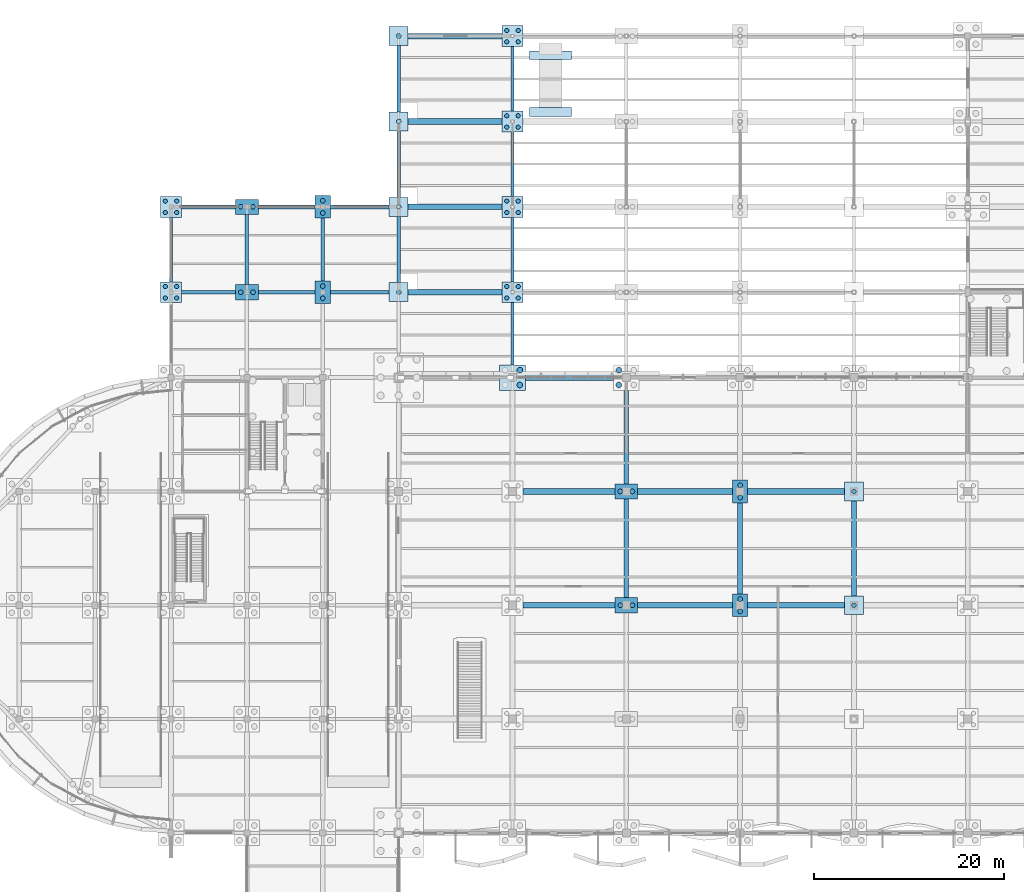
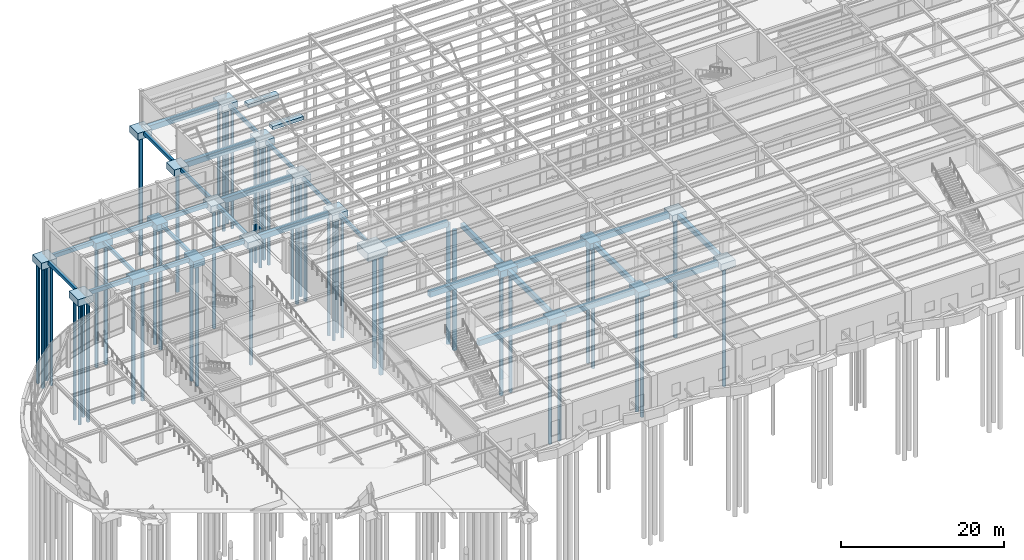
# One storey, part 4 of 85: 54 footings, 50 piles.
"""IFC4 building model written with IfcOpenShell, lengths in metres."""

from ifc_helpers import new_model, si_unit, direction, frame, origin, origin_2d, place, context, subcontext, project, spatial, polyline, rectangle, circle, outline, extrude, material, material_profile, profile_set, type_object, element, save


model = new_model("IFC4")

# Units and contexts
model_context = context("Model", 3, precision=1e-05, world=origin(), true_north=direction((0.0, 1.0)))
body_context = subcontext(model_context, "Body", "Model", "MODEL_VIEW")
ifc_project = project(units=[si_unit("LENGTHUNIT", "METRE"), si_unit("AREAUNIT", "SQUARE_METRE"), si_unit("VOLUMEUNIT", "CUBIC_METRE"), si_unit("PLANEANGLEUNIT", "RADIAN"), si_unit("MASSUNIT", "GRAM", prefix="KILO")], contexts=[model_context])

# Site, building, storey
site_placement = place(None, origin())
site = spatial("IfcSite", under=ifc_project, at=site_placement, CompositionType="ELEMENT")
building_placement = place(site_placement, origin())
building = spatial("IfcBuilding", under=site, at=building_placement, Name="Keelwater Ferry Terminal", CompositionType="ELEMENT")
storey_placement = place(building_placement, origin())
storey = spatial("IfcBuildingStorey", under=building, at=storey_placement, Name="L00", CompositionType="ELEMENT", Elevation=0.0)

# Piles
ifc_material_1 = material(Name="Concrete C45/55", Category="concrete")
ifc_material_profile_1 = material_profile(ifc_material_1, circle(Radius=0.300048828125, at=origin_2d()), Name="PILE D600")
ifc_profile_set_1 = profile_set([ifc_material_profile_1], Name="Concrete C45/55")
pile_type_1 = type_object("IfcPileType", Name="P3 PILE D600", PredefinedType="DRIVEN", material=ifc_profile_set_1)
for number, where, z_axis, x_axis, name in (
    (1, (60.780029296875, 89.219970703125, -1.5), (0.0, 0.0, -1.0), (1.0, 0.0, 0.0), "Driven Pile 0205"),
    (2, (60.780029296875, 90.780029296875, -1.5), (0.0, 0.0, -1.0), (1.0, 0.0, 0.0), "Driven Pile 0207"),
    (3, (71.219970703125, 89.219970703125, -1.5), (0.0, 0.0, -1.0), (1.0, 0.0, 0.0), "Driven Pile 0234"),
    (4, (71.219970703125, 90.780029296875, -1.5), (0.0, 0.0, -1.0), (1.0, 0.0, 0.0), "Driven Pile 0236"),
):
    element("IfcPile", number, at=place(storey_placement, frame(where, z_axis=z_axis, x_axis=x_axis)), inside=storey, type_object=pile_type_1, Name=name, PredefinedType="DRIVEN", context=body_context, shape_type="SweptSolid", body=[
        extrude(circle(Radius=0.300048828125, at=origin_2d()), origin(), (0.0, 0.0, 1.0), 18.0),
    ])
ifc_material_2 = material(Name="Concrete C45/55", Category="concrete")
ifc_material_profile_2 = material_profile(ifc_material_2, circle(Radius=0.25, at=origin_2d()), Name="PILE D500")
ifc_profile_set_2 = profile_set([ifc_material_profile_2], Name="Concrete C45/55")
pile_type_2 = type_object("IfcPileType", Name="P4 PILE D500", PredefinedType="DRIVEN", material=ifc_profile_set_2)
for number, where, z_axis, x_axis, name in (
    (5, (31.35009765625, 99.0, -1.300048828125), (0.0, 0.0, -1.0), (1.0, 0.0, 0.0), "Driven Pile 0118"),
    (6, (32.64990234375, 99.0, -1.300048828125), (0.0, 0.0, -1.0), (1.0, 0.0, 0.0), "Driven Pile 0119"),
    (7, (31.35009765625, 108.0, -1.300048828125), (0.0, 0.0, -1.0), (1.0, 0.0, 0.0), "Driven Pile 0120"),
    (8, (32.64990234375, 108.0, -1.300048828125), (0.0, 0.0, -1.0), (1.0, 0.0, 0.0), "Driven Pile 0121"),
    (9, (40.0, 98.35009765625, -1.300048828125), (0.0, 0.0, -1.0), (1.0, 0.0, 0.0), "Driven Pile 0142"),
    (10, (40.0, 99.64990234375, -1.300048828125), (0.0, 0.0, -1.0), (1.0, 0.0, 0.0), "Driven Pile 0143"),
    (11, (40.0, 107.35009765625, -1.300048828125), (0.0, 0.0, -1.0), (1.0, 0.0, 0.0), "Driven Pile 0144"),
    (12, (40.0, 108.64990234375, -1.300048828125), (0.0, 0.0, -1.0), (1.0, 0.0, 0.0), "Driven Pile 0145"),
    (13, (48.0, 99.0, -1.300048828125), (0.0, 0.0, -1.0), (1.0, 0.0, 0.0), "Driven Pile 0184"),
    (14, (48.0, 108.0, -1.300048828125), (0.0, 0.0, -1.0), (1.0, 0.0, 0.0), "Driven Pile 0185"),
    (15, (48.0, 117.0, -1.300048828125), (0.0, 0.0, -1.0), (1.0, 0.0, 0.0), "Driven Pile 0186"),
    (16, (48.0, 126.0, -1.300048828125), (0.0, 0.0, -1.0), (1.0, 0.0, 0.0), "Driven Pile 0187"),
    (17, (71.35009765625, 66.0, -1.300048828125), (0.0, 0.0, -1.0), (1.0, 0.0, 0.0), "Driven Pile 0230"),
    (18, (72.64990234375, 66.0, -1.300048828125), (0.0, 0.0, -1.0), (1.0, 0.0, 0.0), "Driven Pile 0231"),
    (19, (71.35009765625, 78.0, -1.300048828125), (0.0, 0.0, -1.0), (1.0, 0.0, 0.0), "Driven Pile 0232"),
    (20, (72.64990234375, 78.0, -1.300048828125), (0.0, 0.0, -1.0), (1.0, 0.0, 0.0), "Driven Pile 0233"),
    (21, (84.0, 65.35009765625, -1.300048828125), (0.0, 0.0, -1.0), (1.0, 0.0, 0.0), "Driven Pile 0252"),
    (22, (84.0, 66.64990234375, -1.300048828125), (0.0, 0.0, -1.0), (1.0, 0.0, 0.0), "Driven Pile 0253"),
    (23, (84.0, 77.35009765625, -1.300048828125), (0.0, 0.0, -1.0), (1.0, 0.0, 0.0), "Driven Pile 0254"),
    (24, (84.0, 78.64990234375, -1.300048828125), (0.0, 0.0, -1.0), (1.0, 0.0, 0.0), "Driven Pile 0255"),
    (25, (96.0, 66.0, -1.300048828125), (0.0, 0.0, -1.0), (1.0, 0.0, 0.0), "Driven Pile 0273"),
    (26, (96.0, 78.0, -1.300048828125), (0.0, 0.0, -1.0), (1.0, 0.0, 0.0), "Driven Pile 0274"),
):
    element("IfcPile", number, at=place(storey_placement, frame(where, z_axis=z_axis, x_axis=x_axis)), inside=storey, type_object=pile_type_2, Name=name, PredefinedType="DRIVEN", context=body_context, shape_type="SweptSolid", body=[
        extrude(circle(Radius=0.25, at=origin_2d()), origin(), (0.0, 0.0, 1.0), 18.199951171875),
    ])
ifc_material_3 = material(Name="Concrete C45/55", Category="concrete")
ifc_material_profile_3 = material_profile(ifc_material_3, circle(Radius=0.22509765625, at=origin_2d()), Name="PILE D450")
ifc_profile_set_3 = profile_set([ifc_material_profile_3], Name="Concrete C45/55")
pile_type_3 = type_object("IfcPileType", Name="P5 PILE D450", PredefinedType="DRIVEN", material=ifc_profile_set_3)
for number, where, z_axis, x_axis, name in (
    (27, (23.39990234375, 98.39990234375, -1.35009765625), (0.0, 0.0, -1.0), (1.0, 0.0, 0.0), "Driven Pile 0090"),
    (28, (24.60009765625, 98.39990234375, -1.35009765625), (0.0, 0.0, -1.0), (1.0, 0.0, 0.0), "Driven Pile 0091"),
    (29, (23.39990234375, 99.60009765625, -1.35009765625), (0.0, 0.0, -1.0), (1.0, 0.0, 0.0), "Driven Pile 0092"),
    (30, (24.60009765625, 99.60009765625, -1.35009765625), (0.0, 0.0, -1.0), (1.0, 0.0, 0.0), "Driven Pile 0093"),
    (31, (23.39990234375, 107.39990234375, -1.35009765625), (0.0, 0.0, -1.0), (1.0, 0.0, 0.0), "Driven Pile 0094"),
    (32, (24.60009765625, 107.39990234375, -1.35009765625), (0.0, 0.0, -1.0), (1.0, 0.0, 0.0), "Driven Pile 0095"),
    (33, (23.39990234375, 108.60009765625, -1.35009765625), (0.0, 0.0, -1.0), (1.0, 0.0, 0.0), "Driven Pile 0096"),
    (34, (24.60009765625, 108.60009765625, -1.35009765625), (0.0, 0.0, -1.0), (1.0, 0.0, 0.0), "Driven Pile 0097"),
    (35, (59.39990234375, 98.39990234375, -1.35009765625), (0.0, 0.0, -1.0), (1.0, 0.0, 0.0), "Driven Pile 0208"),
    (36, (60.60009765625, 98.39990234375, -1.35009765625), (0.0, 0.0, -1.0), (1.0, 0.0, 0.0), "Driven Pile 0209"),
    (37, (59.39990234375, 99.60009765625, -1.35009765625), (0.0, 0.0, -1.0), (1.0, 0.0, 0.0), "Driven Pile 0210"),
    (38, (60.60009765625, 99.60009765625, -1.35009765625), (0.0, 0.0, -1.0), (1.0, 0.0, 0.0), "Driven Pile 0211"),
    (39, (59.39990234375, 107.39990234375, -1.35009765625), (0.0, 0.0, -1.0), (1.0, 0.0, 0.0), "Driven Pile 0212"),
    (40, (60.60009765625, 107.39990234375, -1.35009765625), (0.0, 0.0, -1.0), (1.0, 0.0, 0.0), "Driven Pile 0213"),
    (41, (59.39990234375, 108.60009765625, -1.35009765625), (0.0, 0.0, -1.0), (1.0, 0.0, 0.0), "Driven Pile 0214"),
    (42, (60.60009765625, 108.60009765625, -1.35009765625), (0.0, 0.0, -1.0), (1.0, 0.0, 0.0), "Driven Pile 0215"),
    (43, (59.39990234375, 116.39990234375, -1.35009765625), (0.0, 0.0, -1.0), (1.0, 0.0, 0.0), "Driven Pile 0216"),
    (44, (60.60009765625, 116.39990234375, -1.35009765625), (0.0, 0.0, -1.0), (1.0, 0.0, 0.0), "Driven Pile 0217"),
    (45, (59.39990234375, 117.60009765625, -1.35009765625), (0.0, 0.0, -1.0), (1.0, 0.0, 0.0), "Driven Pile 0218"),
    (46, (60.60009765625, 117.60009765625, -1.35009765625), (0.0, 0.0, -1.0), (1.0, 0.0, 0.0), "Driven Pile 0219"),
    (47, (59.39990234375, 125.39990234375, -1.35009765625), (0.0, 0.0, -1.0), (1.0, 0.0, 0.0), "Driven Pile 0220"),
    (48, (60.60009765625, 125.39990234375, -1.35009765625), (0.0, 0.0, -1.0), (1.0, 0.0, 0.0), "Driven Pile 0221"),
    (49, (59.39990234375, 126.60009765625, -1.35009765625), (0.0, 0.0, -1.0), (1.0, 0.0, 0.0), "Driven Pile 0222"),
    (50, (60.60009765625, 126.60009765625, -1.35009765625), (0.0, 0.0, -1.0), (1.0, 0.0, 0.0), "Driven Pile 0223"),
):
    element("IfcPile", number, at=place(storey_placement, frame(where, z_axis=z_axis, x_axis=x_axis)), inside=storey, type_object=pile_type_3, Name=name, PredefinedType="DRIVEN", context=body_context, shape_type="SweptSolid", body=[
        extrude(circle(Radius=0.22509765625, at=origin_2d()), origin(), (0.0, 0.0, 1.0), 18.14990234375),
    ])

# Footings
ifc_material_4 = material(Name="Concrete C40/50", Category="concrete")
footing_type_1 = type_object("IfcFootingType", Name="PC01 2000x2000x1000", PredefinedType="PILE_CAP", material=ifc_material_4)
footing_1_placement = place(storey_placement, frame((0.0, 0.0, -1.39990234375)))
element("IfcFooting", 51, at=footing_1_placement, inside=storey, type_object=footing_type_1, Name="Pile Cap FT-CAP-0041", PredefinedType="PILE_CAP", context=body_context, shape_type="SweptSolid", body=[
    extrude(outline(polyline([(47.0, 98.0), (49.0, 98.0), (49.0, 100.0), (47.0, 100.0), (47.0, 98.0)])), origin(), (0.0, 0.0, 1.0), 1.0),
])
footing_2_placement = place(storey_placement, frame((0.0, 0.0, -1.39990234375)))
element("IfcFooting", 52, at=footing_2_placement, inside=storey, type_object=footing_type_1, Name="Pile Cap FT-CAP-0042", PredefinedType="PILE_CAP", context=body_context, shape_type="SweptSolid", body=[
    extrude(outline(polyline([(47.0, 107.0), (49.0, 107.0), (49.0, 109.0), (47.0, 109.0), (47.0, 107.0)])), origin(), (0.0, 0.0, 1.0), 1.0),
])
footing_3_placement = place(storey_placement, frame((0.0, 0.0, -1.39990234375)))
element("IfcFooting", 53, at=footing_3_placement, inside=storey, type_object=footing_type_1, Name="Pile Cap FT-CAP-0043", PredefinedType="PILE_CAP", context=body_context, shape_type="SweptSolid", body=[
    extrude(outline(polyline([(47.0, 116.0), (49.0, 116.0), (49.0, 118.0), (47.0, 118.0), (47.0, 116.0)])), origin(), (0.0, 0.0, 1.0), 1.0),
])
footing_4_placement = place(storey_placement, frame((0.0, 0.0, -1.39990234375)))
element("IfcFooting", 54, at=footing_4_placement, inside=storey, type_object=footing_type_1, Name="Pile Cap FT-CAP-0044", PredefinedType="PILE_CAP", context=body_context, shape_type="SweptSolid", body=[
    extrude(outline(polyline([(47.0, 125.0), (49.0, 125.0), (49.0, 127.0), (47.0, 127.0), (47.0, 125.0)])), origin(), (0.0, 0.0, 1.0), 1.0),
])
footing_5_placement = place(storey_placement, frame((0.0, 0.0, -1.39990234375)))
element("IfcFooting", 55, at=footing_5_placement, inside=storey, type_object=footing_type_1, Name="Pile Cap FT-CAP-0074", PredefinedType="PILE_CAP", context=body_context, shape_type="SweptSolid", body=[
    extrude(outline(polyline([(95.0, 65.0), (97.0, 65.0), (97.0, 67.0), (95.0, 67.0), (95.0, 65.0)])), origin(), (0.0, 0.0, 1.0), 1.0),
])
footing_6_placement = place(storey_placement, frame((0.0, 0.0, -1.39990234375)))
element("IfcFooting", 56, at=footing_6_placement, inside=storey, type_object=footing_type_1, Name="Pile Cap FT-CAP-0075", PredefinedType="PILE_CAP", context=body_context, shape_type="SweptSolid", body=[
    extrude(outline(polyline([(95.0, 77.0), (97.0, 77.0), (97.0, 79.0), (95.0, 79.0), (95.0, 77.0)])), origin(), (0.0, 0.0, 1.0), 1.0),
])
ifc_material_5 = material(Name="Concrete C40/50", Category="concrete")
footing_type_2 = type_object("IfcFootingType", Name="PC04 2700x2700x1200", PredefinedType="PILE_CAP", material=ifc_material_5)
footing_7_placement = place(storey_placement, frame((0.0, 0.0, -1.60009765625)))
element("IfcFooting", 57, at=footing_7_placement, inside=storey, type_object=footing_type_2, Name="Pile Cap FT-CAP-0049", PredefinedType="PILE_CAP", context=body_context, shape_type="SweptSolid", body=[
    extrude(outline(polyline([(58.64990234375, 88.64990234375), (61.35009765625, 88.64990234375), (61.35009765625, 91.35009765625), (58.64990234375, 91.35009765625), (58.64990234375, 88.64990234375)])), origin(), (0.0, 0.0, 1.0), 1.2001953125),
])
ifc_material_6 = material(Name="Concrete C40/50", Category="concrete")
footing_type_3 = type_object("IfcFootingType", Name="PC10 2200x2200x1050", PredefinedType="PILE_CAP", material=ifc_material_6)
footing_8_placement = place(storey_placement, frame((0.0, 0.0, -1.449951171875)))
element("IfcFooting", 58, at=footing_8_placement, inside=storey, type_object=footing_type_3, Name="Pile Cap FT-CAP-0012", PredefinedType="PILE_CAP", context=body_context, shape_type="SweptSolid", body=[
    extrude(outline(polyline([(22.89990234375, 97.89990234375), (25.10009765625, 97.89990234375), (25.10009765625, 100.10009765625), (22.89990234375, 100.10009765625), (22.89990234375, 97.89990234375)])), origin(), (0.0, 0.0, 1.0), 1.050048828125),
])
footing_9_placement = place(storey_placement, frame((0.0, 0.0, -1.449951171875)))
element("IfcFooting", 59, at=footing_9_placement, inside=storey, type_object=footing_type_3, Name="Pile Cap FT-CAP-0013", PredefinedType="PILE_CAP", context=body_context, shape_type="SweptSolid", body=[
    extrude(outline(polyline([(22.89990234375, 106.89990234375), (25.10009765625, 106.89990234375), (25.10009765625, 109.10009765625), (22.89990234375, 109.10009765625), (22.89990234375, 106.89990234375)])), origin(), (0.0, 0.0, 1.0), 1.050048828125),
])
footing_10_placement = place(storey_placement, frame((0.0, 0.0, -1.449951171875)))
element("IfcFooting", 60, at=footing_10_placement, inside=storey, type_object=footing_type_3, Name="Pile Cap FT-CAP-0050", PredefinedType="PILE_CAP", context=body_context, shape_type="SweptSolid", body=[
    extrude(outline(polyline([(58.89990234375, 97.89990234375), (61.10009765625, 97.89990234375), (61.10009765625, 100.10009765625), (58.89990234375, 100.10009765625), (58.89990234375, 97.89990234375)])), origin(), (0.0, 0.0, 1.0), 1.050048828125),
])
footing_11_placement = place(storey_placement, frame((0.0, 0.0, -1.449951171875)))
element("IfcFooting", 61, at=footing_11_placement, inside=storey, type_object=footing_type_3, Name="Pile Cap FT-CAP-0051", PredefinedType="PILE_CAP", context=body_context, shape_type="SweptSolid", body=[
    extrude(outline(polyline([(58.89990234375, 106.89990234375), (61.10009765625, 106.89990234375), (61.10009765625, 109.10009765625), (58.89990234375, 109.10009765625), (58.89990234375, 106.89990234375)])), origin(), (0.0, 0.0, 1.0), 1.050048828125),
])
footing_12_placement = place(storey_placement, frame((0.0, 0.0, -1.449951171875)))
element("IfcFooting", 62, at=footing_12_placement, inside=storey, type_object=footing_type_3, Name="Pile Cap FT-CAP-0052", PredefinedType="PILE_CAP", context=body_context, shape_type="SweptSolid", body=[
    extrude(outline(polyline([(58.89990234375, 115.89990234375), (61.10009765625, 115.89990234375), (61.10009765625, 118.10009765625), (58.89990234375, 118.10009765625), (58.89990234375, 115.89990234375)])), origin(), (0.0, 0.0, 1.0), 1.050048828125),
])
footing_13_placement = place(storey_placement, frame((0.0, 0.0, -1.449951171875)))
element("IfcFooting", 63, at=footing_13_placement, inside=storey, type_object=footing_type_3, Name="Pile Cap FT-CAP-0053", PredefinedType="PILE_CAP", context=body_context, shape_type="SweptSolid", body=[
    extrude(outline(polyline([(58.89990234375, 124.89990234375), (61.10009765625, 124.89990234375), (61.10009765625, 127.10009765625), (58.89990234375, 127.10009765625), (58.89990234375, 124.89990234375)])), origin(), (0.0, 0.0, 1.0), 1.050048828125),
])
ifc_material_7 = material(Name="Concrete C40/50", Category="concrete")
footing_type_4 = type_object("IfcFootingType", Name="PC11 2400x1600x1000", PredefinedType="PILE_CAP", material=ifc_material_7)
footing_14_placement = place(storey_placement, frame((0.0, 0.0, -1.39990234375)))
element("IfcFooting", 64, at=footing_14_placement, inside=storey, type_object=footing_type_4, Name="Pile Cap FT-CAP-0021", PredefinedType="PILE_CAP", context=body_context, shape_type="SweptSolid", body=[
    extrude(outline(polyline([(30.800048828125, 98.199951171875), (33.199951171875, 98.199951171875), (33.199951171875, 99.800048828125), (30.800048828125, 99.800048828125), (30.800048828125, 98.199951171875)])), origin(), (0.0, 0.0, 1.0), 1.0),
])
footing_15_placement = place(storey_placement, frame((0.0, 0.0, -1.39990234375)))
element("IfcFooting", 65, at=footing_15_placement, inside=storey, type_object=footing_type_4, Name="Pile Cap FT-CAP-0022", PredefinedType="PILE_CAP", context=body_context, shape_type="SweptSolid", body=[
    extrude(outline(polyline([(30.800048828125, 107.199951171875), (33.199951171875, 107.199951171875), (33.199951171875, 108.800048828125), (30.800048828125, 108.800048828125), (30.800048828125, 107.199951171875)])), origin(), (0.0, 0.0, 1.0), 1.0),
])
footing_16_placement = place(storey_placement, frame((0.0, 0.0, -1.39990234375)))
element("IfcFooting", 66, at=footing_16_placement, inside=storey, type_object=footing_type_4, Name="Pile Cap FT-CAP-0056", PredefinedType="PILE_CAP", context=body_context, shape_type="SweptSolid", body=[
    extrude(outline(polyline([(70.800048828125, 65.199951171875), (73.199951171875, 65.199951171875), (73.199951171875, 66.800048828125), (70.800048828125, 66.800048828125), (70.800048828125, 65.199951171875)])), origin(), (0.0, 0.0, 1.0), 1.0),
])
footing_17_placement = place(storey_placement, frame((0.0, 0.0, -1.39990234375)))
element("IfcFooting", 67, at=footing_17_placement, inside=storey, type_object=footing_type_4, Name="Pile Cap FT-CAP-0057", PredefinedType="PILE_CAP", context=body_context, shape_type="SweptSolid", body=[
    extrude(outline(polyline([(70.800048828125, 77.199951171875), (73.199951171875, 77.199951171875), (73.199951171875, 78.800048828125), (70.800048828125, 78.800048828125), (70.800048828125, 77.199951171875)])), origin(), (0.0, 0.0, 1.0), 1.0),
])
ifc_material_8 = material(Name="Concrete C40/50", Category="concrete")
footing_type_5 = type_object("IfcFootingType", Name="PC12 1600x2400x1000", PredefinedType="PILE_CAP", material=ifc_material_8)
footing_18_placement = place(storey_placement, frame((0.0, 0.0, -1.39990234375)))
element("IfcFooting", 68, at=footing_18_placement, inside=storey, type_object=footing_type_5, Name="Pile Cap FT-CAP-0030", PredefinedType="PILE_CAP", context=body_context, shape_type="SweptSolid", body=[
    extrude(outline(polyline([(39.199951171875, 97.800048828125), (40.800048828125, 97.800048828125), (40.800048828125, 100.199951171875), (39.199951171875, 100.199951171875), (39.199951171875, 97.800048828125)])), origin(), (0.0, 0.0, 1.0), 1.0),
])
footing_19_placement = place(storey_placement, frame((0.0, 0.0, -1.39990234375)))
element("IfcFooting", 69, at=footing_19_placement, inside=storey, type_object=footing_type_5, Name="Pile Cap FT-CAP-0031", PredefinedType="PILE_CAP", context=body_context, shape_type="SweptSolid", body=[
    extrude(outline(polyline([(39.199951171875, 106.800048828125), (40.800048828125, 106.800048828125), (40.800048828125, 109.199951171875), (39.199951171875, 109.199951171875), (39.199951171875, 106.800048828125)])), origin(), (0.0, 0.0, 1.0), 1.0),
])
footing_20_placement = place(storey_placement, frame((0.0, 0.0, -1.39990234375)))
element("IfcFooting", 70, at=footing_20_placement, inside=storey, type_object=footing_type_5, Name="Pile Cap FT-CAP-0065", PredefinedType="PILE_CAP", context=body_context, shape_type="SweptSolid", body=[
    extrude(outline(polyline([(83.199951171875, 64.800048828125), (84.800048828125, 64.800048828125), (84.800048828125, 67.199951171875), (83.199951171875, 67.199951171875), (83.199951171875, 64.800048828125)])), origin(), (0.0, 0.0, 1.0), 1.0),
])
footing_21_placement = place(storey_placement, frame((0.0, 0.0, -1.39990234375)))
element("IfcFooting", 71, at=footing_21_placement, inside=storey, type_object=footing_type_5, Name="Pile Cap FT-CAP-0066", PredefinedType="PILE_CAP", context=body_context, shape_type="SweptSolid", body=[
    extrude(outline(polyline([(83.199951171875, 76.800048828125), (84.800048828125, 76.800048828125), (84.800048828125, 79.199951171875), (83.199951171875, 79.199951171875), (83.199951171875, 76.800048828125)])), origin(), (0.0, 0.0, 1.0), 1.0),
])
ifc_material_9 = material(Name="Concrete C40/50", Category="concrete")
footing_type_6 = type_object("IfcFootingType", Name="PF01 4400x900x500", PredefinedType="PAD_FOOTING", material=ifc_material_9)
footing_22_placement = place(storey_placement, frame((0.0, 0.0, -0.5)))
element("IfcFooting", 72, at=footing_22_placement, inside=storey, type_object=footing_type_6, Name="Ramp QR1 Threshold Pad Footing 1", PredefinedType="PAD_FOOTING", context=body_context, shape_type="SweptSolid", body=[
    extrude(outline(polyline([(61.800048828125, 117.550048828125), (66.199951171875, 117.550048828125), (66.199951171875, 118.449951171875), (61.800048828125, 118.449951171875), (61.800048828125, 117.550048828125)])), origin(), (0.0, 0.0, 1.0), 0.5),
])
footing_23_placement = place(storey_placement, frame((0.0, 0.0, -0.85009765625)))
element("IfcFooting", 73, at=footing_23_placement, inside=storey, type_object=footing_type_6, Name="Ramp QR1 Threshold Pad Footing 2", PredefinedType="PAD_FOOTING", context=body_context, shape_type="SweptSolid", body=[
    extrude(outline(polyline([(61.800048828125, 123.550048828125), (66.199951171875, 123.550048828125), (66.199951171875, 124.449951171875), (61.800048828125, 124.449951171875), (61.800048828125, 123.550048828125)])), origin(), (0.0, 0.0, 1.0), 0.5),
])
ifc_material_10 = material(Name="Concrete C40/50", Category="concrete")
ifc_material_profile_4 = material_profile(ifc_material_10, rectangle(XDim=0.60009765625, YDim=0.800048828125, at=origin_2d()), Name="TB 600x800")
ifc_profile_set_4 = profile_set([ifc_material_profile_4], Name="Concrete C40/50")
footing_type_7 = type_object("IfcFootingType", Name="TB1 600x800", PredefinedType="FOOTING_BEAM", material=ifc_profile_set_4)
footing_24_placement = place(storey_placement, frame((61.10009765625, 66.0, -0.800048828125), z_axis=(1.0, 0.0, 0.0), x_axis=(0.0, 1.0, 0.0)))
element("IfcFooting", 74, at=footing_24_placement, inside=storey, type_object=footing_type_7, Name="Ground Tie Beam 0053", PredefinedType="FOOTING_BEAM", context=body_context, shape_type="SweptSolid", body=[
    extrude(rectangle(XDim=0.60009765625, YDim=0.800048828125, at=origin_2d()), origin(), (0.0, 0.0, 1.0), 9.699951171875),
])
footing_25_placement = place(storey_placement, frame((73.199951171875, 66.0, -0.800048828125), z_axis=(1.0, 0.0, 0.0), x_axis=(0.0, 1.0, 0.0)))
element("IfcFooting", 75, at=footing_25_placement, inside=storey, type_object=footing_type_7, Name="Ground Tie Beam 0054", PredefinedType="FOOTING_BEAM", context=body_context, shape_type="SweptSolid", body=[
    extrude(rectangle(XDim=0.60009765625, YDim=0.800048828125, at=origin_2d()), origin(), (0.0, 0.0, 1.0), 10.0),
])
footing_26_placement = place(storey_placement, frame((84.800048828125, 66.0, -0.800048828125), z_axis=(1.0, 0.0, 0.0), x_axis=(0.0, 1.0, 0.0)))
element("IfcFooting", 76, at=footing_26_placement, inside=storey, type_object=footing_type_7, Name="Ground Tie Beam 0055", PredefinedType="FOOTING_BEAM", context=body_context, shape_type="SweptSolid", body=[
    extrude(rectangle(XDim=0.60009765625, YDim=0.800048828125, at=origin_2d()), origin(), (0.0, 0.0, 1.0), 10.199951171875),
])
footing_27_placement = place(storey_placement, frame((61.10009765625, 78.0, -0.800048828125), z_axis=(1.0, 0.0, 0.0), x_axis=(0.0, 1.0, 0.0)))
element("IfcFooting", 77, at=footing_27_placement, inside=storey, type_object=footing_type_7, Name="Ground Tie Beam 0070", PredefinedType="FOOTING_BEAM", context=body_context, shape_type="SweptSolid", body=[
    extrude(rectangle(XDim=0.60009765625, YDim=0.800048828125, at=origin_2d()), origin(), (0.0, 0.0, 1.0), 9.699951171875),
])
footing_28_placement = place(storey_placement, frame((73.199951171875, 78.0, -0.800048828125), z_axis=(1.0, 0.0, 0.0), x_axis=(0.0, 1.0, 0.0)))
element("IfcFooting", 78, at=footing_28_placement, inside=storey, type_object=footing_type_7, Name="Ground Tie Beam 0071", PredefinedType="FOOTING_BEAM", context=body_context, shape_type="SweptSolid", body=[
    extrude(rectangle(XDim=0.60009765625, YDim=0.800048828125, at=origin_2d()), origin(), (0.0, 0.0, 1.0), 10.0),
])
footing_29_placement = place(storey_placement, frame((84.800048828125, 78.0, -0.800048828125), z_axis=(1.0, 0.0, 0.0), x_axis=(0.0, 1.0, 0.0)))
element("IfcFooting", 79, at=footing_29_placement, inside=storey, type_object=footing_type_7, Name="Ground Tie Beam 0072", PredefinedType="FOOTING_BEAM", context=body_context, shape_type="SweptSolid", body=[
    extrude(rectangle(XDim=0.60009765625, YDim=0.800048828125, at=origin_2d()), origin(), (0.0, 0.0, 1.0), 10.199951171875),
])
footing_30_placement = place(storey_placement, frame((61.35009765625, 90.0, -0.800048828125), z_axis=(1.0, 0.0, 0.0), x_axis=(0.0, 1.0, 0.0)))
element("IfcFooting", 80, at=footing_30_placement, inside=storey, type_object=footing_type_7, Name="Ground Tie Beam 0085", PredefinedType="FOOTING_BEAM", context=body_context, shape_type="SweptSolid", body=[
    extrude(rectangle(XDim=0.60009765625, YDim=0.800048828125, at=origin_2d()), origin(), (0.0, 0.0, 1.0), 9.2998046875),
])
for number, where, z_axis, x_axis, name in (
    (81, (49.0, 99.0, -0.800048828125), (1.0, 0.0, 0.0), (0.0, 1.0, 0.0), "Ground Tie Beam 0099"),
    (82, (49.0, 108.0, -0.800048828125), (1.0, 0.0, 0.0), (0.0, 1.0, 0.0), "Ground Tie Beam 0113"),
    (83, (49.0, 117.0, -0.800048828125), (1.0, 0.0, 0.0), (0.0, 1.0, 0.0), "Ground Tie Beam 0125"),
    (84, (49.0, 126.0, -0.800048828125), (1.0, 0.0, 0.0), (0.0, 1.0, 0.0), "Ground Tie Beam 0138"),
):
    element("IfcFooting", number, at=place(storey_placement, frame(where, z_axis=z_axis, x_axis=x_axis)), inside=storey, type_object=footing_type_7, Name=name, PredefinedType="FOOTING_BEAM", context=body_context, shape_type="SweptSolid", body=[
        extrude(rectangle(XDim=0.60009765625, YDim=0.800048828125, at=origin_2d()), origin(), (0.0, 0.0, 1.0), 9.89990234375),
    ])
ifc_material_11 = material(Name="Concrete C40/50", Category="concrete")
ifc_material_profile_5 = material_profile(ifc_material_11, rectangle(XDim=0.5, YDim=0.75, at=origin_2d()), Name="TB 500x750")
ifc_profile_set_5 = profile_set([ifc_material_profile_5], Name="Concrete C40/50")
footing_type_8 = type_object("IfcFootingType", Name="TB2 500x750", PredefinedType="FOOTING_BEAM", material=ifc_profile_set_5)
footing_31_placement = place(storey_placement, frame((72.0, 66.800048828125, -0.77490234375), z_axis=(0.0, 1.0, 0.0), x_axis=(-1.0, 0.0, 0.0)))
element("IfcFooting", 85, at=footing_31_placement, inside=storey, type_object=footing_type_8, Name="Ground Tie Beam 0196", PredefinedType="FOOTING_BEAM", context=body_context, shape_type="SweptSolid", body=[
    extrude(rectangle(XDim=0.5, YDim=0.75, at=origin_2d()), origin(), (0.0, 0.0, 1.0), 10.39990234375),
])
footing_32_placement = place(storey_placement, frame((72.0, 78.800048828125, -0.77490234375), z_axis=(0.0, 1.0, 0.0), x_axis=(-1.0, 0.0, 0.0)))
element("IfcFooting", 86, at=footing_32_placement, inside=storey, type_object=footing_type_8, Name="Ground Tie Beam 0197", PredefinedType="FOOTING_BEAM", context=body_context, shape_type="SweptSolid", body=[
    extrude(rectangle(XDim=0.5, YDim=0.75, at=origin_2d()), origin(), (0.0, 0.0, 1.0), 9.849853515625),
])
footing_33_placement = place(storey_placement, frame((84.0, 67.199951171875, -0.77490234375), z_axis=(0.0, 1.0, 0.0), x_axis=(-1.0, 0.0, 0.0)))
element("IfcFooting", 87, at=footing_33_placement, inside=storey, type_object=footing_type_8, Name="Ground Tie Beam 0204", PredefinedType="FOOTING_BEAM", context=body_context, shape_type="SweptSolid", body=[
    extrude(rectangle(XDim=0.5, YDim=0.75, at=origin_2d()), origin(), (0.0, 0.0, 1.0), 9.60009765625),
])
footing_34_placement = place(storey_placement, frame((96.0, 67.0, -0.77490234375), z_axis=(0.0, 1.0, 0.0), x_axis=(-1.0, 0.0, 0.0)))
element("IfcFooting", 88, at=footing_34_placement, inside=storey, type_object=footing_type_8, Name="Ground Tie Beam 0212", PredefinedType="FOOTING_BEAM", context=body_context, shape_type="SweptSolid", body=[
    extrude(rectangle(XDim=0.5, YDim=0.75, at=origin_2d()), origin(), (0.0, 0.0, 1.0), 10.0),
])
ifc_material_12 = material(Name="Concrete C40/50", Category="concrete")
ifc_material_profile_6 = material_profile(ifc_material_12, rectangle(XDim=0.39990234375, YDim=0.60009765625, at=origin_2d()), Name="TB 400x600")
ifc_profile_set_6 = profile_set([ifc_material_profile_6], Name="Concrete C40/50")
footing_type_9 = type_object("IfcFootingType", Name="TB5 400x600", PredefinedType="FOOTING_BEAM", material=ifc_profile_set_6)
footing_35_placement = place(storey_placement, frame((25.10009765625, 99.0, -0.699951171875), z_axis=(1.0, 0.0, 0.0), x_axis=(0.0, 1.0, 0.0)))
element("IfcFooting", 89, at=footing_35_placement, inside=storey, type_object=footing_type_9, Name="Ground Tie Beam 0096", PredefinedType="FOOTING_BEAM", context=body_context, shape_type="SweptSolid", body=[
    extrude(rectangle(XDim=0.39990234375, YDim=0.60009765625, at=origin_2d()), origin(), (0.0, 0.0, 1.0), 5.699951171875),
])
footing_36_placement = place(storey_placement, frame((33.199951171875, 99.0, -0.699951171875), z_axis=(1.0, 0.0, 0.0), x_axis=(0.0, 1.0, 0.0)))
element("IfcFooting", 90, at=footing_36_placement, inside=storey, type_object=footing_type_9, Name="Ground Tie Beam 0097", PredefinedType="FOOTING_BEAM", context=body_context, shape_type="SweptSolid", body=[
    extrude(rectangle(XDim=0.39990234375, YDim=0.60009765625, at=origin_2d()), origin(), (0.0, 0.0, 1.0), 6.0),
])
footing_37_placement = place(storey_placement, frame((40.800048828125, 99.0, -0.699951171875), z_axis=(1.0, 0.0, 0.0), x_axis=(0.0, 1.0, 0.0)))
element("IfcFooting", 91, at=footing_37_placement, inside=storey, type_object=footing_type_9, Name="Ground Tie Beam 0098", PredefinedType="FOOTING_BEAM", context=body_context, shape_type="SweptSolid", body=[
    extrude(rectangle(XDim=0.39990234375, YDim=0.60009765625, at=origin_2d()), origin(), (0.0, 0.0, 1.0), 6.199951171875),
])
footing_38_placement = place(storey_placement, frame((25.10009765625, 108.0, -0.699951171875), z_axis=(1.0, 0.0, 0.0), x_axis=(0.0, 1.0, 0.0)))
element("IfcFooting", 92, at=footing_38_placement, inside=storey, type_object=footing_type_9, Name="Ground Tie Beam 0110", PredefinedType="FOOTING_BEAM", context=body_context, shape_type="SweptSolid", body=[
    extrude(rectangle(XDim=0.39990234375, YDim=0.60009765625, at=origin_2d()), origin(), (0.0, 0.0, 1.0), 5.699951171875),
])
footing_39_placement = place(storey_placement, frame((33.199951171875, 108.0, -0.699951171875), z_axis=(1.0, 0.0, 0.0), x_axis=(0.0, 1.0, 0.0)))
element("IfcFooting", 93, at=footing_39_placement, inside=storey, type_object=footing_type_9, Name="Ground Tie Beam 0111", PredefinedType="FOOTING_BEAM", context=body_context, shape_type="SweptSolid", body=[
    extrude(rectangle(XDim=0.39990234375, YDim=0.60009765625, at=origin_2d()), origin(), (0.0, 0.0, 1.0), 6.0),
])
footing_40_placement = place(storey_placement, frame((40.800048828125, 108.0, -0.699951171875), z_axis=(1.0, 0.0, 0.0), x_axis=(0.0, 1.0, 0.0)))
element("IfcFooting", 94, at=footing_40_placement, inside=storey, type_object=footing_type_9, Name="Ground Tie Beam 0112", PredefinedType="FOOTING_BEAM", context=body_context, shape_type="SweptSolid", body=[
    extrude(rectangle(XDim=0.39990234375, YDim=0.60009765625, at=origin_2d()), origin(), (0.0, 0.0, 1.0), 6.199951171875),
])
ifc_material_13 = material(Name="Concrete C40/50", Category="concrete")
ifc_material_profile_7 = material_profile(ifc_material_13, rectangle(XDim=0.35009765625, YDim=0.5, at=origin_2d()), Name="TB 350x500")
ifc_profile_set_7 = profile_set([ifc_material_profile_7], Name="Concrete C40/50")
footing_type_10 = type_object("IfcFootingType", Name="TB8 350x500", PredefinedType="FOOTING_BEAM", material=ifc_profile_set_7)
footing_41_placement = place(storey_placement, frame((24.0, 100.10009765625, -0.64990234375), z_axis=(0.0, 1.0, 0.0), x_axis=(-1.0, 0.0, 0.0)))
element("IfcFooting", 95, at=footing_41_placement, inside=storey, type_object=footing_type_10, Name="Ground Tie Beam 0155", PredefinedType="FOOTING_BEAM", context=body_context, shape_type="SweptSolid", body=[
    extrude(rectangle(XDim=0.35009765625, YDim=0.5, at=origin_2d()), origin(), (0.0, 0.0, 1.0), 6.7998046875),
])
footing_42_placement = place(storey_placement, frame((32.0, 99.800048828125, -0.64990234375), z_axis=(0.0, 1.0, 0.0), x_axis=(-1.0, 0.0, 0.0)))
element("IfcFooting", 96, at=footing_42_placement, inside=storey, type_object=footing_type_10, Name="Ground Tie Beam 0164", PredefinedType="FOOTING_BEAM", context=body_context, shape_type="SweptSolid", body=[
    extrude(rectangle(XDim=0.35009765625, YDim=0.5, at=origin_2d()), origin(), (0.0, 0.0, 1.0), 7.39990234375),
])
footing_43_placement = place(storey_placement, frame((40.0, 100.199951171875, -0.64990234375), z_axis=(0.0, 1.0, 0.0), x_axis=(-1.0, 0.0, 0.0)))
element("IfcFooting", 97, at=footing_43_placement, inside=storey, type_object=footing_type_10, Name="Ground Tie Beam 0173", PredefinedType="FOOTING_BEAM", context=body_context, shape_type="SweptSolid", body=[
    extrude(rectangle(XDim=0.35009765625, YDim=0.5, at=origin_2d()), origin(), (0.0, 0.0, 1.0), 6.60009765625),
])
for number, where, z_axis, x_axis, name in (
    (98, (48.0, 100.0, -0.64990234375), (0.0, 1.0, 0.0), (-1.0, 0.0, 0.0), "Ground Tie Beam 0183"),
    (99, (48.0, 109.0, -0.64990234375), (0.0, 1.0, 0.0), (-1.0, 0.0, 0.0), "Ground Tie Beam 0184"),
    (100, (48.0, 118.0, -0.64990234375), (0.0, 1.0, 0.0), (-1.0, 0.0, 0.0), "Ground Tie Beam 0185"),
):
    element("IfcFooting", number, at=place(storey_placement, frame(where, z_axis=z_axis, x_axis=x_axis)), inside=storey, type_object=footing_type_10, Name=name, PredefinedType="FOOTING_BEAM", context=body_context, shape_type="SweptSolid", body=[
        extrude(rectangle(XDim=0.35009765625, YDim=0.5, at=origin_2d()), origin(), (0.0, 0.0, 1.0), 7.0),
    ])
footing_44_placement = place(storey_placement, frame((60.0, 91.35009765625, -0.64990234375), z_axis=(0.0, 1.0, 0.0), x_axis=(-1.0, 0.0, 0.0)))
element("IfcFooting", 101, at=footing_44_placement, inside=storey, type_object=footing_type_10, Name="Ground Tie Beam 0190", PredefinedType="FOOTING_BEAM", context=body_context, shape_type="SweptSolid", body=[
    extrude(rectangle(XDim=0.35009765625, YDim=0.5, at=origin_2d()), origin(), (0.0, 0.0, 1.0), 6.5498046875),
])
for number, where, z_axis, x_axis, name in (
    (102, (60.0, 100.10009765625, -0.64990234375), (0.0, 1.0, 0.0), (-1.0, 0.0, 0.0), "Ground Tie Beam 0191"),
    (103, (60.0, 109.10009765625, -0.64990234375), (0.0, 1.0, 0.0), (-1.0, 0.0, 0.0), "Ground Tie Beam 0192"),
    (104, (60.0, 118.10009765625, -0.64990234375), (0.0, 1.0, 0.0), (-1.0, 0.0, 0.0), "Ground Tie Beam 0193"),
):
    element("IfcFooting", number, at=place(storey_placement, frame(where, z_axis=z_axis, x_axis=x_axis)), inside=storey, type_object=footing_type_10, Name=name, PredefinedType="FOOTING_BEAM", context=body_context, shape_type="SweptSolid", body=[
        extrude(rectangle(XDim=0.35009765625, YDim=0.5, at=origin_2d()), origin(), (0.0, 0.0, 1.0), 6.7998046875),
    ])

save(model, "model.ifc")
